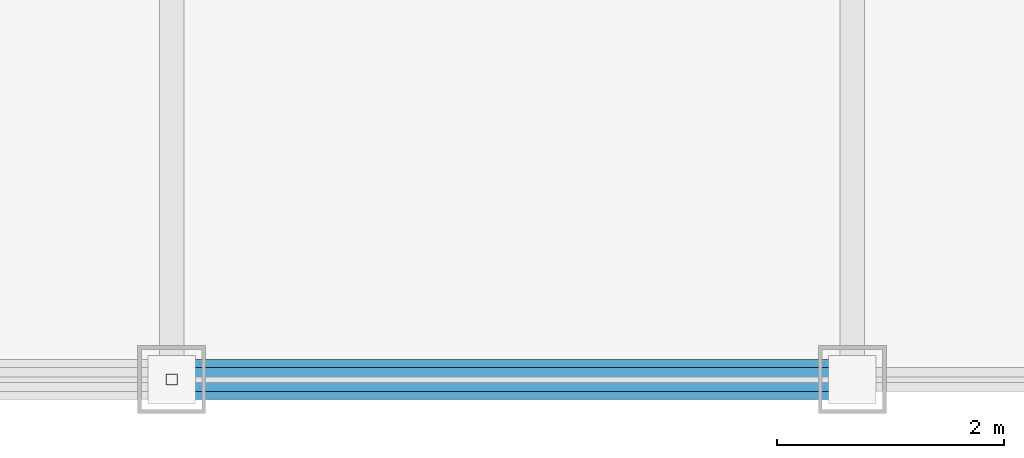
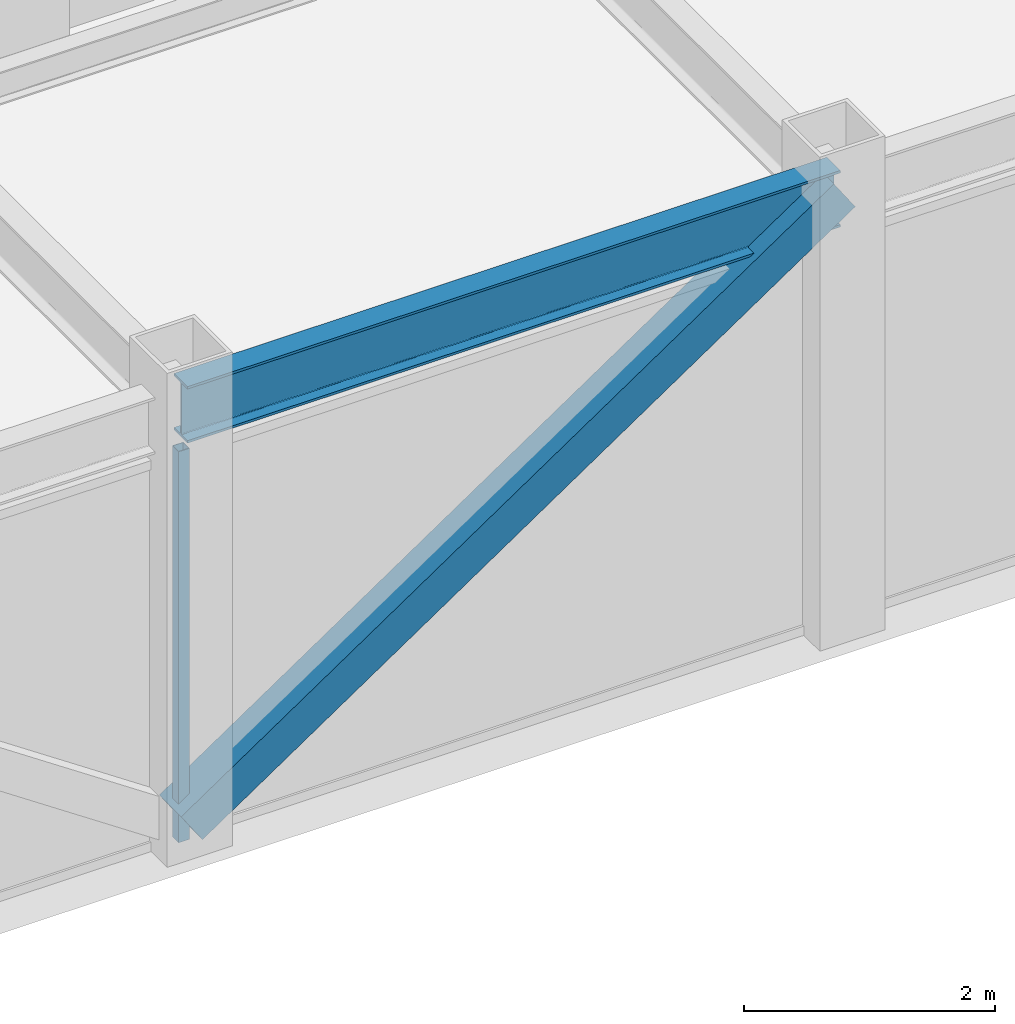
# One storey, part 4 of 27: 2 members, 1 beam, 1 element without a shape of its own.
"""IFC4 building model written with IfcOpenShell, lengths in metres."""

from ifc_helpers import new_model, si_unit, direction, frame, origin, origin_2d, place, context, subcontext, project, spatial, hollow_rectangle, i_section, extrude, source, transform, mapped, material, material_profile, profile_set, type_object, element, aggregate, save


model = new_model("IFC4")

# Units and contexts
model_context = context("Model", 3, precision=1e-05, world=origin(), true_north=direction((0.0, 1.0)))
body_context = subcontext(model_context, "Body", "Model", "MODEL_VIEW")
ifc_project = project(units=[si_unit("LENGTHUNIT", "METRE"), si_unit("AREAUNIT", "SQUARE_METRE"), si_unit("VOLUMEUNIT", "CUBIC_METRE"), si_unit("PLANEANGLEUNIT", "RADIAN"), si_unit("MASSUNIT", "GRAM", prefix="KILO")], contexts=[model_context])

# Site, building, storey
site_placement = place(None, origin())
site = spatial("IfcSite", under=ifc_project, at=site_placement, CompositionType="ELEMENT")
building_placement = place(site_placement, origin())
building = spatial("IfcBuilding", under=site, at=building_placement, Name="Khorayat Bourse Tower", CompositionType="ELEMENT")
storey_placement = place(building_placement, frame((0.0, 0.0, 380.300048828125)))
storey = spatial("IfcBuildingStorey", under=building, at=storey_placement, Name="L90", CompositionType="ELEMENT", Elevation=380.300048828125)

# Beam
ifc_material_1 = material(Name="Steel ASTM A992 Grade 50", Category="steel")
ifc_material_profile_1 = material_profile(ifc_material_1, i_section(OverallWidth=0.214111328125, OverallDepth=0.549072265625, WebThickness=0.0146484375, FlangeThickness=0.023681640625, FilletRadius=0.013916015625, at=origin_2d()), Name="W530X138")
ifc_profile_set_1 = profile_set([ifc_material_profile_1], Name="Steel ASTM A992 Grade 50")
beam_type = type_object("IfcBeamType", Name="BM-SPAN-530", PredefinedType="SPANDREL", material=ifc_profile_set_1)
shared_shape_1 = source(origin(), body_context, "Body", "SweptSolid", [
    extrude(i_section(OverallWidth=0.214111328125, OverallDepth=0.549072265625, WebThickness=0.0146484375, FlangeThickness=0.023681640625, FilletRadius=0.013916015625, at=origin_2d()), origin(), (0.0, 0.0, 1.0), 6.0),
])
beam_placement = place(storey_placement, frame((0.0, -24.0, 4.175537109375), z_axis=(1.0, 0.0, 0.0), x_axis=(0.0, 1.0, 0.0)))
element("IfcBeam", 1, at=beam_placement, inside=storey, type_object=beam_type, Name="L90 BM-SPAN-530 BM-L90-SPN-027", PredefinedType="SPANDREL", context=body_context, shape_type="MappedRepresentation", body=[
    mapped(shared_shape_1, transform((0.0, 0.0, 0.0), scale=1.0)),
])

# Member
ifc_material_2 = material(Name="Steel EN 10025-2 S355J2", Category="steel")
ifc_material_profile_2 = material_profile(ifc_material_2, hollow_rectangle(XDim=0.35009765625, YDim=0.35009765625, WallThickness=0.02001953125, at=origin_2d()), Name="HSS 350x350x20")
ifc_profile_set_2 = profile_set([ifc_material_profile_2], Name="Steel EN 10025-2 S355J2")
member_type_1 = type_object("IfcMemberType", Name="MBR-CROWN-350", PredefinedType="USERDEFINED", material=ifc_profile_set_2)
shared_shape_2 = source(origin(), body_context, "Body", "SweptSolid", [
    extrude(hollow_rectangle(XDim=0.35009765625, YDim=0.35009765625, WallThickness=0.02001953125, at=origin_2d()), origin(), (0.0, 0.0, 1.0), 7.239013671875),
])
member_1_placement = place(storey_placement, frame((0.0, -24.0, 0.199951171875), z_axis=(0.828845546207, 0.0, 0.559477488852), x_axis=(0.0, 1.0, 0.0)))
element("IfcMember", 2, at=member_1_placement, inside=storey, type_object=member_type_1, Name="L90 Lantern Crown Frame Member 03", ObjectType="CROWN FRAME", PredefinedType="USERDEFINED", context=body_context, shape_type="MappedRepresentation", body=[
    mapped(shared_shape_2, transform((0.0, 0.0, 0.0), scale=1.0)),
])

# Curtain wall, member
ifc_material_3 = material(Name="Aluminium EN AW-6063 T6", Category="aluminium")
curtain_wall_type = type_object("IfcCurtainWallType", Name="CW-SYS-07", PredefinedType="NOTDEFINED", material=ifc_material_3)
curtain_wall_placement = place(storey_placement, origin())
curtain_wall = element("IfcCurtainWall", 3, at=curtain_wall_placement, inside=storey, type_object=curtain_wall_type, Name="L90 Curtain Wall CW-L90-S1", PredefinedType="NOTDEFINED")
ifc_material_profile_3 = material_profile(ifc_material_3, hollow_rectangle(XDim=0.10009765625, YDim=0.10009765625, WallThickness=0.0048828125, at=origin_2d()), Name="ALU 100x100x5")
ifc_profile_set_3 = profile_set([ifc_material_profile_3], Name="Aluminium EN AW-6063 T6")
member_type_2 = type_object("IfcMemberType", Name="CWM-LANTERN-100", PredefinedType="MULLION", material=ifc_profile_set_3)
shared_shape_3 = source(origin(), body_context, "Body", "SweptSolid", [
    extrude(hollow_rectangle(XDim=0.10009765625, YDim=0.10009765625, WallThickness=0.0048828125, at=origin_2d()), origin(), (0.0, 0.0, 1.0), 3.800048828125),
])
member_2_placement = place(storey_placement, frame((0.0, -24.0, 0.0), z_axis=(0.0, 0.0, 1.0), x_axis=(0.0, 1.0, 0.0)))
member_2 = element("IfcMember", 4, at=member_2_placement, type_object=member_type_2, Name="CW-L90-S1 Vertical Mullion 2", PredefinedType="MULLION", context=body_context, shape_type="MappedRepresentation", body=[
    mapped(shared_shape_3, transform((0.0, 0.0, 0.0), scale=1.0)),
])
aggregate(curtain_wall, [member_2])

save(model, "model.ifc")
